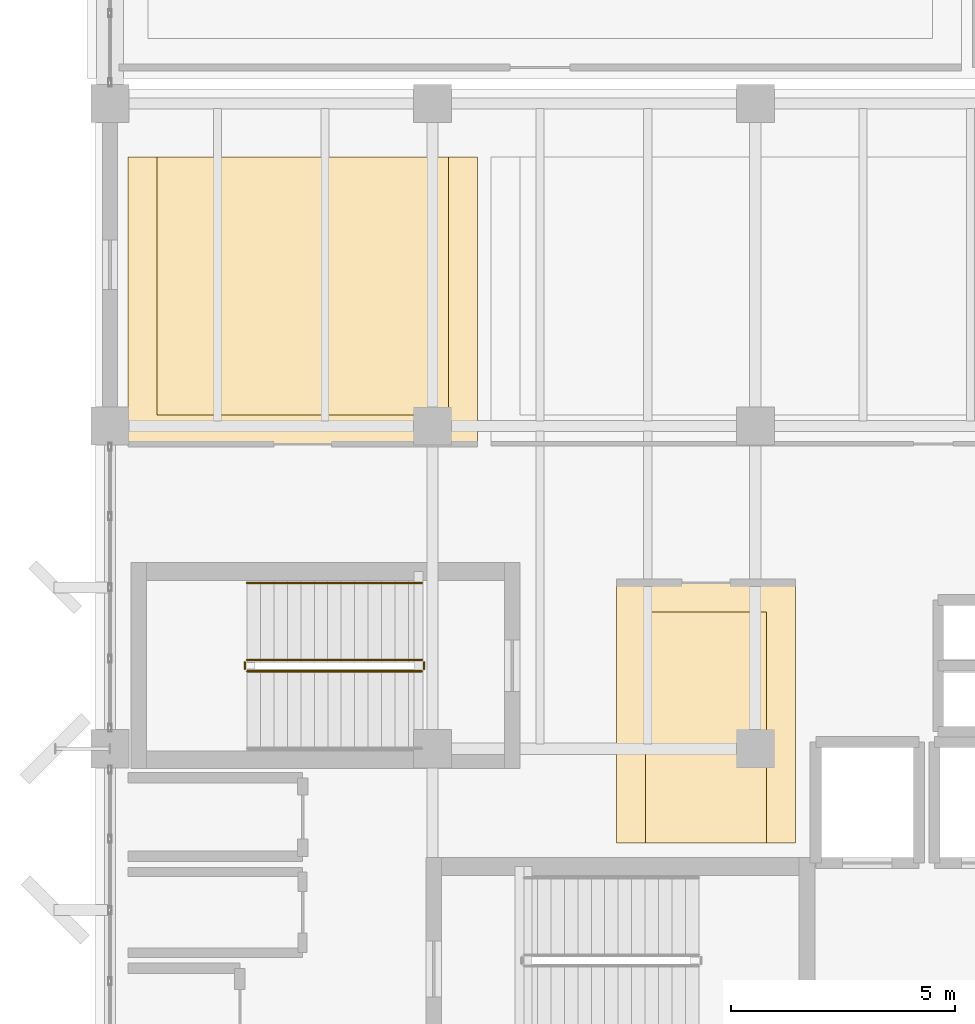
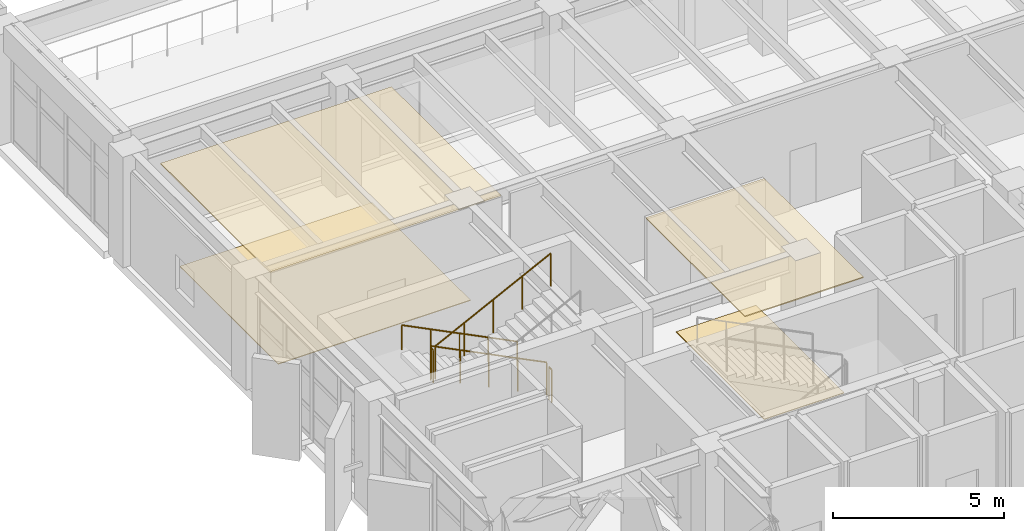
# One storey, part 52 of 59: 5 railings, 4 coverings.
"""IFC4 building model written with IfcOpenShell, lengths in metres."""

from ifc_helpers import new_model, si_unit, direction, frame, origin, origin_2d, place, context, subcontext, project, spatial, polyline, circle, outline, extrude, material, layer, layer_set, type_object, element, save


model = new_model("IFC4")

# Units and contexts
model_context = context("Model", 3, precision=1e-05, world=origin(), true_north=direction((0.0, 1.0)))
body_context = subcontext(model_context, "Body", "Model", "MODEL_VIEW")
ifc_project = project(units=[si_unit("LENGTHUNIT", "METRE"), si_unit("AREAUNIT", "SQUARE_METRE"), si_unit("VOLUMEUNIT", "CUBIC_METRE"), si_unit("PLANEANGLEUNIT", "RADIAN"), si_unit("MASSUNIT", "GRAM", prefix="KILO")], contexts=[model_context])

# Site, building, storey
site_placement = place(None, origin())
site = spatial("IfcSite", under=ifc_project, at=site_placement, CompositionType="ELEMENT")
building_placement = place(site_placement, origin())
building = spatial("IfcBuilding", under=site, at=building_placement, Name="Kandorven Conservatory and Botanical Research Centre", CompositionType="ELEMENT")
storey_placement = place(building_placement, frame((0.0, 0.0, 4.800048828125)))
storey = spatial("IfcBuildingStorey", under=building, at=storey_placement, Name="L01", CompositionType="ELEMENT", Elevation=4.800048828125)

# Coverings
ifc_material_1 = material(Name="Perforated mineral-fibre acoustic ceiling tile", Category="gypsum")
ifc_layer_1 = layer(ifc_material_1, 0.0400390625)
ifc_layer_set_1 = layer_set([ifc_layer_1], Name="Perforated mineral-fibre acoustic ceiling tile")
covering_type_1 = type_object("IfcCoveringType", Name="Cov_Ceiling_1", PredefinedType="CEILING", material=ifc_layer_set_1)
covering_1_placement = place(storey_placement, frame((0.0, 0.0, 3.889892578125)))
element("IfcCovering", 1, at=covering_1_placement, inside=storey, type_object=covering_type_1, Name="Suspended acoustic ceiling CLG-01 (Botanical Specimen Preparation Laboratory L01)", PredefinedType="CEILING", context=body_context, shape_type="SweptSolid", body=[
    extrude(outline(polyline([(17.300048828125, 18.300048828125), (21.300048828125, 18.300048828125), (21.300048828125, 24.10009765625), (17.300048828125, 24.10009765625), (17.300048828125, 18.300048828125)])), origin(), (0.0, 0.0, 1.0), 0.0400390625),
])
covering_2_placement = place(storey_placement, frame((0.0, 0.0, 3.889892578125)))
element("IfcCovering", 2, at=covering_2_placement, inside=storey, type_object=covering_type_1, Name="Suspended acoustic ceiling CLG-01 (Ethnobotany Field Specimen Studio L01)", PredefinedType="CEILING", context=body_context, shape_type="SweptSolid", body=[
    extrude(outline(polyline([(6.39990234375, 27.199951171875), (14.199951171875, 27.199951171875), (14.199951171875, 33.60009765625), (6.39990234375, 33.60009765625), (6.39990234375, 27.199951171875)])), origin(), (0.0, 0.0, 1.0), 0.0400390625),
])
ifc_material_2 = material(Name="Honed Kota stone and epoxy laboratory flooring", Category="masonry")
ifc_layer_2 = layer(ifc_material_2, 0.02490234375)
ifc_layer_set_2 = layer_set([ifc_layer_2], Name="Honed Kota stone and epoxy laboratory flooring")
covering_type_2 = type_object("IfcCoveringType", Name="Cov_Flooring_1", PredefinedType="FLOORING", material=ifc_layer_set_2)
covering_3_placement = place(storey_placement, origin())
element("IfcCovering", 3, at=covering_3_placement, inside=storey, type_object=covering_type_2, Name="Floor finish FLR-01 (Botanical Specimen Preparation Laboratory L01)", PredefinedType="FLOORING", context=body_context, shape_type="SweptSolid", body=[
    extrude(outline(polyline([(17.949951171875, 18.300048828125), (20.64990234375, 18.300048828125), (20.64990234375, 23.449951171875), (17.949951171875, 23.449951171875), (17.949951171875, 18.300048828125)])), origin(), (0.0, 0.0, 1.0), 0.02490234375),
])
covering_4_placement = place(storey_placement, origin())
element("IfcCovering", 4, at=covering_4_placement, inside=storey, type_object=covering_type_2, Name="Floor finish FLR-01 (Ethnobotany Field Specimen Studio L01)", PredefinedType="FLOORING", context=body_context, shape_type="SweptSolid", body=[
    extrude(outline(polyline([(7.050048828125, 27.85009765625), (13.550048828125, 27.85009765625), (13.550048828125, 33.60009765625), (7.050048828125, 33.60009765625), (7.050048828125, 27.85009765625)])), origin(), (0.0, 0.0, 1.0), 0.02490234375),
])

# Railings
ifc_material_3 = material(Name="Steel S355 (IS 2062 E350)", Category="steel")
railing_type_1 = type_object("IfcRailingType", Name="StairGuard_1150", PredefinedType="BALUSTRADE", material=ifc_material_3)
railing_1_placement = place(storey_placement, frame((12.9599609375, 22.3798828125, 0.14990234375)))
element("IfcRailing", 5, at=railing_1_placement, inside=storey, type_object=railing_type_1, Name="L01 ST-T2 stair guard 1", PredefinedType="BALUSTRADE", context=body_context, shape_type="SweptSolid", body=[
    extrude(circle(Radius=0.02392578125, at=origin_2d()), frame((0.0, 0.0, 1.17578125), z_axis=(-0.894427191, 0.0, 0.4472135955), x_axis=(0.0, -1.0, 0.0)), (0.0, 0.0, 1.0), 4.360107421875),
    extrude(circle(Radius=0.02099609375, at=origin_2d()), origin(), (0.0, 0.0, 1.0), 1.15185546875),
    extrude(circle(Radius=0.02099609375, at=origin_2d()), frame((-0.97509765625, 0.0, 0.487548828125)), (0.0, 0.0, 1.0), 1.15185546875),
    extrude(circle(Radius=0.02099609375, at=origin_2d()), frame((-1.949951171875, 0.0, 0.97509765625)), (0.0, 0.0, 1.0), 1.15185546875),
    extrude(circle(Radius=0.02099609375, at=origin_2d()), frame((-2.9248046875, 0.0, 1.46240234375)), (0.0, 0.0, 1.0), 1.15185546875),
    extrude(circle(Radius=0.02099609375, at=origin_2d()), frame((-3.89990234375, 0.0, 1.949951171875)), (0.0, 0.0, 1.0), 1.15185546875),
])
railing_2_placement = place(storey_placement, frame((9.010009765625, 22.330078125, 2.099853515625)))
element("IfcRailing", 6, at=railing_2_placement, inside=storey, type_object=railing_type_1, Name="L01 ST-T2 stair guard 2", PredefinedType="BALUSTRADE", context=body_context, shape_type="SweptSolid", body=[
    extrude(circle(Radius=0.02392578125, at=origin_2d()), frame((0.0, 0.0, 1.17578125), z_axis=(0.0, -1.0, 0.0), x_axis=(1.0, 0.0, 0.0)), (0.0, 0.0, 1.0), 0.150146484375),
    extrude(circle(Radius=0.02099609375, at=origin_2d()), origin(), (0.0, 0.0, 1.0), 1.15185546875),
    extrude(circle(Radius=0.02099609375, at=origin_2d()), frame((0.0, -0.150146484375, 0.0)), (0.0, 0.0, 1.0), 1.15185546875),
])
railing_3_placement = place(storey_placement, frame((9.06005859375, 22.1298828125, 2.25)))
element("IfcRailing", 7, at=railing_3_placement, inside=storey, type_object=railing_type_1, Name="L01 ST-T2 stair guard 3", PredefinedType="BALUSTRADE", context=body_context, shape_type="SweptSolid", body=[
    extrude(circle(Radius=0.02392578125, at=origin_2d()), frame((0.0, 0.0, 1.17578125), z_axis=(0.894427191, 0.0, 0.4472135955), x_axis=(0.0, 1.0, 0.0)), (0.0, 0.0, 1.0), 4.360107421875),
    extrude(circle(Radius=0.02099609375, at=origin_2d()), origin(), (0.0, 0.0, 1.0), 1.15185546875),
    extrude(circle(Radius=0.02099609375, at=origin_2d()), frame((0.97509765625, 0.0, 0.487548828125)), (0.0, 0.0, 1.0), 1.15185546875),
    extrude(circle(Radius=0.02099609375, at=origin_2d()), frame((1.949951171875, 0.0, 0.97509765625)), (0.0, 0.0, 1.0), 1.15185546875),
    extrude(circle(Radius=0.02099609375, at=origin_2d()), frame((2.9248046875, 0.0, 1.46240234375)), (0.0, 0.0, 1.0), 1.15185546875),
    extrude(circle(Radius=0.02099609375, at=origin_2d()), frame((3.89990234375, 0.0, 1.949951171875)), (0.0, 0.0, 1.0), 1.15185546875),
])
railing_4_placement = place(storey_placement, frame((13.010009765625, 22.330078125, 0.0)))
element("IfcRailing", 8, at=railing_4_placement, inside=storey, type_object=railing_type_1, Name="L01 ST-T2 stair guard 4", PredefinedType="BALUSTRADE", context=body_context, shape_type="SweptSolid", body=[
    extrude(circle(Radius=0.02392578125, at=origin_2d()), frame((0.0, 0.0, 1.17578125), z_axis=(0.0, -1.0, 0.0), x_axis=(1.0, 0.0, 0.0)), (0.0, 0.0, 1.0), 0.150146484375),
    extrude(circle(Radius=0.02099609375, at=origin_2d()), origin(), (0.0, 0.0, 1.0), 1.15185546875),
    extrude(circle(Radius=0.02099609375, at=origin_2d()), frame((0.0, -0.150146484375, 0.0)), (0.0, 0.0, 1.0), 1.15185546875),
])
ifc_material_4 = material(Name="Steel S355 (IS 2062 E350)", Category="steel")
railing_type_2 = type_object("IfcRailingType", Name="StairHandrail_900", PredefinedType="HANDRAIL", material=ifc_material_4)
railing_5_placement = place(storey_placement, frame((12.9599609375, 24.10009765625, 0.14990234375)))
element("IfcRailing", 9, at=railing_5_placement, inside=storey, type_object=railing_type_2, Name="L01 ST-T2 stair handrail 1", PredefinedType="HANDRAIL", context=body_context, shape_type="SweptSolid", body=[
    extrude(circle(Radius=0.02392578125, at=origin_2d()), frame((0.0, 0.0, 0.8759765625), z_axis=(-0.894427191, 0.0, 0.4472135955), x_axis=(0.0, -1.0, 0.0)), (0.0, 0.0, 1.0), 4.360107421875),
    extrude(circle(Radius=0.02099609375, at=origin_2d()), origin(), (0.0, 0.0, 1.0), 0.851806640625),
    extrude(circle(Radius=0.02099609375, at=origin_2d()), frame((-0.97509765625, 0.0, 0.487548828125)), (0.0, 0.0, 1.0), 0.851806640625),
    extrude(circle(Radius=0.02099609375, at=origin_2d()), frame((-1.949951171875, 0.0, 0.97509765625)), (0.0, 0.0, 1.0), 0.851806640625),
    extrude(circle(Radius=0.02099609375, at=origin_2d()), frame((-2.9248046875, 0.0, 1.46240234375)), (0.0, 0.0, 1.0), 0.851806640625),
    extrude(circle(Radius=0.02099609375, at=origin_2d()), frame((-3.89990234375, 0.0, 1.949951171875)), (0.0, 0.0, 1.0), 0.851806640625),
])

save(model, "model.ifc")
